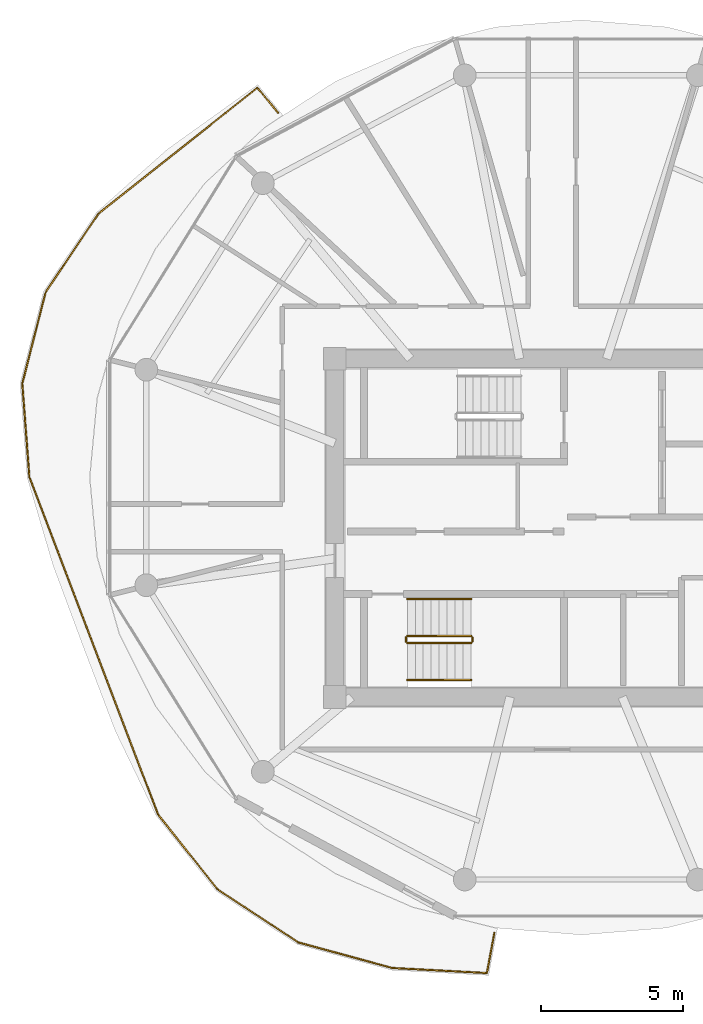
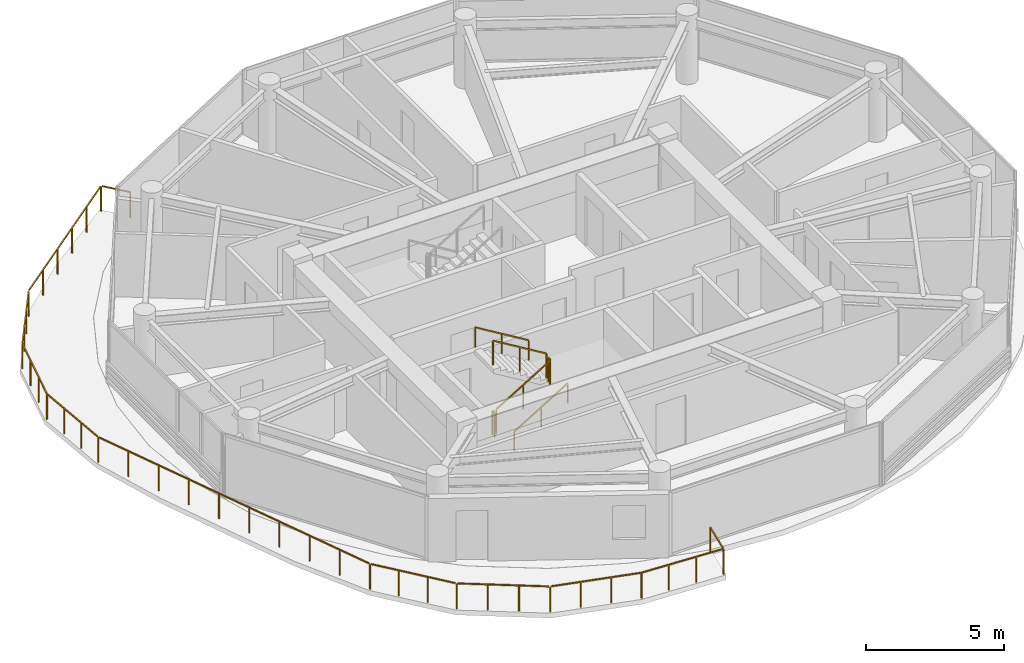
# One storey, part 19 of 23: 8 railings.
"""IFC4 building model written with IfcOpenShell, lengths in metres."""

from ifc_helpers import new_model, si_unit, direction, frame, origin, origin_2d, place, context, subcontext, project, spatial, rectangle, extrude, material, type_object, element, save


model = new_model("IFC4")

# Units and contexts
model_context = context("Model", 3, precision=1e-05, world=origin(), true_north=direction((0.0, 1.0)))
body_context = subcontext(model_context, "Body", "Model", "MODEL_VIEW")
ifc_project = project(units=[si_unit("LENGTHUNIT", "METRE"), si_unit("AREAUNIT", "SQUARE_METRE"), si_unit("VOLUMEUNIT", "CUBIC_METRE"), si_unit("PLANEANGLEUNIT", "RADIAN"), si_unit("MASSUNIT", "GRAM", prefix="KILO")], contexts=[model_context])

# Site, building, storey
site_placement = place(None, origin())
site = spatial("IfcSite", under=ifc_project, at=site_placement, CompositionType="ELEMENT")
building_placement = place(site_placement, origin())
building = spatial("IfcBuilding", under=site, at=building_placement, Name="Norrkilde Senior Care Towers", CompositionType="ELEMENT")
storey_placement = place(building_placement, frame((0.0, 0.0, 158.699951171875)))
storey = spatial("IfcBuildingStorey", under=building, at=storey_placement, Name="L49", CompositionType="ELEMENT", Elevation=158.699951171875)

# Railings
ifc_material_1 = material(Name="Anodised Aluminium", Category="aluminium")
railing_type_1 = type_object("IfcRailingType", Name="Balcony Swirl Ribbon Guardrail 1150", PredefinedType="GUARDRAIL", material=ifc_material_1)
railing_1_placement = place(storey_placement, frame((-33.62939453125, -15.4892578125, 0.0)))
element("IfcRailing", 1, at=railing_1_placement, inside=storey, type_object=railing_type_1, Name="L49 Perimeter Safety Guard 03", PredefinedType="GUARDRAIL", context=body_context, shape_type="SweptSolid", body=[
    extrude(rectangle(XDim=0.048095703125, YDim=0.048095703125, at=origin_2d()), frame((0.0, 0.0, 1.1259765625), z_axis=(-0.964836192676, 0.262851899941, 0.0), x_axis=(-0.262851899941, -0.964836192676, 0.0)), (0.0, 0.0, 1.0), 3.3828125),
    extrude(rectangle(XDim=0.048095703125, YDim=0.048095703125, at=origin_2d()), frame((-3.33740234375, 0.92236328125, 1.1259765625), z_axis=(-0.835948134008, 0.548808452238, 0.0), x_axis=(-0.548808452238, -0.835948134008, 0.0)), (0.0, 0.0, 1.0), 3.321044921875),
    extrude(rectangle(XDim=0.048095703125, YDim=0.048095703125, at=origin_2d()), frame((-6.173095703125, 2.79931640625, 1.1259765625), z_axis=(-0.622124779816, 0.782918104491, 0.0), x_axis=(-0.782918104491, -0.622124779816, 0.0)), (0.0, 0.0, 1.0), 3.29345703125),
    extrude(rectangle(XDim=0.048095703125, YDim=0.048095703125, at=origin_2d()), frame((-8.26220703125, 5.447998046875, 1.1259765625), z_axis=(-0.356223902005, 0.934400626948, 0.0), x_axis=(-0.934400626948, -0.356223902005, 0.0)), (0.0, 0.0, 1.0), 12.62060546875),
    extrude(rectangle(XDim=0.048095703125, YDim=0.048095703125, at=origin_2d()), frame((-12.775634765625, 17.31982421875, 1.1259765625), z_axis=(-0.075417349172, 0.99715205633, 0.0), x_axis=(-0.99715205633, -0.075417349172, 0.0)), (0.0, 0.0, 1.0), 3.217041015625),
    extrude(rectangle(XDim=0.048095703125, YDim=0.048095703125, at=origin_2d()), frame((-13.01123046875, 20.60791015625, 1.1259765625), z_axis=(0.247242141548, 0.968953726162, 0.0), x_axis=(-0.968953726162, 0.247242141548, 0.0)), (0.0, 0.0, 1.0), 3.236083984375),
    extrude(rectangle(XDim=0.048095703125, YDim=0.048095703125, at=origin_2d()), frame((-12.17822265625, 23.817138671875, 1.1259765625), z_axis=(0.558245465959, 0.829675840155, 0.0), x_axis=(-0.829675840155, 0.558245465959, 0.0)), (0.0, 0.0, 1.0), 3.250732421875),
    extrude(rectangle(XDim=0.048095703125, YDim=0.048095703125, at=origin_2d()), frame((-10.30859375, 26.573486328125, 1.1259765625), z_axis=(0.783671093201, 0.621175995737, 0.0), x_axis=(-0.621175995737, 0.783671093201, 0.0)), (0.0, 0.0, 1.0), 7.054931640625),
    extrude(rectangle(XDim=0.048095703125, YDim=0.048095703125, at=origin_2d()), frame((-4.721923828125, 30.94970703125, 1.1259765625), z_axis=(0.635834855799, -0.771825133143, 0.0), x_axis=(0.771825133143, 0.635834855799, 0.0)), (0.0, 0.0, 1.0), 1.09912109375),
    extrude(rectangle(XDim=0.0419921875, YDim=0.0419921875, at=origin_2d()), origin(), (0.0, 0.0, 1.0), 1.099853515625),
    extrude(rectangle(XDim=0.0419921875, YDim=0.0419921875, at=origin_2d()), frame((-1.10107421875, 0.300048828125, 0.0)), (0.0, 0.0, 1.0), 1.099853515625),
    extrude(rectangle(XDim=0.0419921875, YDim=0.0419921875, at=origin_2d()), frame((-2.2021484375, 0.599853515625, 0.0)), (0.0, 0.0, 1.0), 1.099853515625),
    extrude(rectangle(XDim=0.0419921875, YDim=0.0419921875, at=origin_2d()), frame((-3.30322265625, 0.89990234375, 0.0)), (0.0, 0.0, 1.0), 1.099853515625),
    extrude(rectangle(XDim=0.0419921875, YDim=0.0419921875, at=origin_2d()), frame((-4.25146484375, 1.5224609375, 0.0)), (0.0, 0.0, 1.0), 1.099853515625),
    extrude(rectangle(XDim=0.0419921875, YDim=0.0419921875, at=origin_2d()), frame((-5.199462890625, 2.144775390625, 0.0)), (0.0, 0.0, 1.0), 1.099853515625),
    extrude(rectangle(XDim=0.0419921875, YDim=0.0419921875, at=origin_2d()), frame((-6.147705078125, 2.767333984375, 0.0)), (0.0, 0.0, 1.0), 1.099853515625),
    extrude(rectangle(XDim=0.0419921875, YDim=0.0419921875, at=origin_2d()), frame((-6.84765625, 3.648193359375, 0.0)), (0.0, 0.0, 1.0), 1.099853515625),
    extrude(rectangle(XDim=0.0419921875, YDim=0.0419921875, at=origin_2d()), frame((-7.547607421875, 4.529052734375, 0.0)), (0.0, 0.0, 1.0), 1.099853515625),
    extrude(rectangle(XDim=0.0419921875, YDim=0.0419921875, at=origin_2d()), frame((-8.24755859375, 5.409912109375, 0.0)), (0.0, 0.0, 1.0), 1.099853515625),
    extrude(rectangle(XDim=0.0419921875, YDim=0.0419921875, at=origin_2d()), frame((-8.750244140625, 6.728759765625, 0.0)), (0.0, 0.0, 1.0), 1.099853515625),
    extrude(rectangle(XDim=0.0419921875, YDim=0.0419921875, at=origin_2d()), frame((-9.253173828125, 8.047607421875, 0.0)), (0.0, 0.0, 1.0), 1.099853515625),
    extrude(rectangle(XDim=0.0419921875, YDim=0.0419921875, at=origin_2d()), frame((-9.755859375, 9.3662109375, 0.0)), (0.0, 0.0, 1.0), 1.099853515625),
    extrude(rectangle(XDim=0.0419921875, YDim=0.0419921875, at=origin_2d()), frame((-10.258544921875, 10.68505859375, 0.0)), (0.0, 0.0, 1.0), 1.099853515625),
    extrude(rectangle(XDim=0.0419921875, YDim=0.0419921875, at=origin_2d()), frame((-10.761474609375, 12.00390625, 0.0)), (0.0, 0.0, 1.0), 1.099853515625),
    extrude(rectangle(XDim=0.0419921875, YDim=0.0419921875, at=origin_2d()), frame((-11.26416015625, 13.32275390625, 0.0)), (0.0, 0.0, 1.0), 1.099853515625),
    extrude(rectangle(XDim=0.0419921875, YDim=0.0419921875, at=origin_2d()), frame((-11.766845703125, 14.641357421875, 0.0)), (0.0, 0.0, 1.0), 1.099853515625),
    extrude(rectangle(XDim=0.0419921875, YDim=0.0419921875, at=origin_2d()), frame((-12.269775390625, 15.960205078125, 0.0)), (0.0, 0.0, 1.0), 1.099853515625),
    extrude(rectangle(XDim=0.0419921875, YDim=0.0419921875, at=origin_2d()), frame((-12.7724609375, 17.279052734375, 0.0)), (0.0, 0.0, 1.0), 1.099853515625),
    extrude(rectangle(XDim=0.0419921875, YDim=0.0419921875, at=origin_2d()), frame((-12.85546875, 18.37548828125, 0.0)), (0.0, 0.0, 1.0), 1.099853515625),
    extrude(rectangle(XDim=0.0419921875, YDim=0.0419921875, at=origin_2d()), frame((-12.938232421875, 19.471923828125, 0.0)), (0.0, 0.0, 1.0), 1.099853515625),
    extrude(rectangle(XDim=0.0419921875, YDim=0.0419921875, at=origin_2d()), frame((-13.021240234375, 20.568359375, 0.0)), (0.0, 0.0, 1.0), 1.099853515625),
    extrude(rectangle(XDim=0.0419921875, YDim=0.0419921875, at=origin_2d()), frame((-12.747802734375, 21.639892578125, 0.0)), (0.0, 0.0, 1.0), 1.099853515625),
    extrude(rectangle(XDim=0.0419921875, YDim=0.0419921875, at=origin_2d()), frame((-12.474365234375, 22.711669921875, 0.0)), (0.0, 0.0, 1.0), 1.099853515625),
    extrude(rectangle(XDim=0.0419921875, YDim=0.0419921875, at=origin_2d()), frame((-12.200927734375, 23.783203125, 0.0)), (0.0, 0.0, 1.0), 1.099853515625),
    extrude(rectangle(XDim=0.0419921875, YDim=0.0419921875, at=origin_2d()), frame((-11.580810546875, 24.704833984375, 0.0)), (0.0, 0.0, 1.0), 1.099853515625),
    extrude(rectangle(XDim=0.0419921875, YDim=0.0419921875, at=origin_2d()), frame((-10.960693359375, 25.62646484375, 0.0)), (0.0, 0.0, 1.0), 1.099853515625),
    extrude(rectangle(XDim=0.0419921875, YDim=0.0419921875, at=origin_2d()), frame((-10.340576171875, 26.548095703125, 0.0)), (0.0, 0.0, 1.0), 1.099853515625),
    extrude(rectangle(XDim=0.0419921875, YDim=0.0419921875, at=origin_2d()), frame((-9.221923828125, 27.434814453125, 0.0)), (0.0, 0.0, 1.0), 1.099853515625),
    extrude(rectangle(XDim=0.0419921875, YDim=0.0419921875, at=origin_2d()), frame((-8.103515625, 28.3212890625, 0.0)), (0.0, 0.0, 1.0), 1.099853515625),
    extrude(rectangle(XDim=0.0419921875, YDim=0.0419921875, at=origin_2d()), frame((-6.98486328125, 29.2080078125, 0.0)), (0.0, 0.0, 1.0), 1.099853515625),
    extrude(rectangle(XDim=0.0419921875, YDim=0.0419921875, at=origin_2d()), frame((-5.866455078125, 30.094482421875, 0.0)), (0.0, 0.0, 1.0), 1.099853515625),
    extrude(rectangle(XDim=0.0419921875, YDim=0.0419921875, at=origin_2d()), frame((-4.747802734375, 30.981201171875, 0.0)), (0.0, 0.0, 1.0), 1.099853515625),
    extrude(rectangle(XDim=0.0419921875, YDim=0.0419921875, at=origin_2d()), frame((-4.02294921875, 30.101318359375, 0.0)), (0.0, 0.0, 1.0), 1.099853515625),
])
railing_2_placement = place(storey_placement, frame((-30.035888671875, -14.25146484375, 0.0)))
element("IfcRailing", 2, at=railing_2_placement, inside=storey, type_object=railing_type_1, Name="L49 Perimeter Safety Guard 04", PredefinedType="GUARDRAIL", context=body_context, shape_type="SweptSolid", body=[
    extrude(rectangle(XDim=0.048095703125, YDim=0.048095703125, at=origin_2d()), frame((0.0, 0.0, 1.1259765625), z_axis=(-0.182660114047, -0.983176119897, 0.0), x_axis=(0.983176119897, -0.182660114047, 0.0)), (0.0, 0.0, 1.0), 1.398681640625),
    extrude(rectangle(XDim=0.048095703125, YDim=0.048095703125, at=origin_2d()), frame((-0.3037109375, -1.4130859375, 1.1259765625), z_axis=(-0.99858303572, 0.053215794383, 0.0), x_axis=(-0.053215794383, -0.99858303572, 0.0)), (0.0, 0.0, 1.0), 3.29443359375),
    extrude(rectangle(XDim=0.0419921875, YDim=0.0419921875, at=origin_2d()), origin(), (0.0, 0.0, 1.0), 1.099853515625),
    extrude(rectangle(XDim=0.0419921875, YDim=0.0419921875, at=origin_2d()), frame((-0.262939453125, -1.415283203125, 0.0)), (0.0, 0.0, 1.0), 1.099853515625),
    extrude(rectangle(XDim=0.0419921875, YDim=0.0419921875, at=origin_2d()), frame((-1.373046875, -1.356201171875, 0.0)), (0.0, 0.0, 1.0), 1.099853515625),
    extrude(rectangle(XDim=0.0419921875, YDim=0.0419921875, at=origin_2d()), frame((-2.4833984375, -1.296875, 0.0)), (0.0, 0.0, 1.0), 1.099853515625),
    extrude(rectangle(XDim=0.0419921875, YDim=0.0419921875, at=origin_2d()), frame((-3.593505859375, -1.23779296875, 0.0)), (0.0, 0.0, 1.0), 1.099853515625),
])
ifc_material_2 = material(Name="Stainless Steel", Category="steel")
railing_type_2 = type_object("IfcRailingType", Name="Stair and Terrace Guardrail 1100", PredefinedType="GUARDRAIL", material=ifc_material_2)
railing_3_placement = place(storey_placement, frame((-33.10009765625, -4.050048828125, 0.16943359375)))
element("IfcRailing", 3, at=railing_3_placement, inside=storey, type_object=railing_type_2, Name="L49 ST-W2 stair guard 1", PredefinedType="GUARDRAIL", context=body_context, shape_type="SweptSolid", body=[
    extrude(rectangle(XDim=0.048095703125, YDim=0.048095703125, at=origin_2d()), frame((0.0, 0.0, 1.076171875), z_axis=(0.855512035549, 0.0, 0.517782924622), x_axis=(0.0, 1.0, 0.0)), (0.0, 0.0, 1.0), 2.618408203125),
    extrude(rectangle(XDim=0.0419921875, YDim=0.0419921875, at=origin_2d()), origin(), (0.0, 0.0, 1.0), 1.050048828125),
    extrude(rectangle(XDim=0.0419921875, YDim=0.0419921875, at=origin_2d()), frame((1.1201171875, 0.0, 0.677734375)), (0.0, 0.0, 1.0), 1.050048828125),
    extrude(rectangle(XDim=0.0419921875, YDim=0.0419921875, at=origin_2d()), frame((2.239990234375, 0.0, 1.355712890625)), (0.0, 0.0, 1.0), 1.050048828125),
])
railing_4_placement = place(storey_placement, frame((-30.81005859375, -4.0, 1.525146484375)))
element("IfcRailing", 4, at=railing_4_placement, inside=storey, type_object=railing_type_2, Name="L49 ST-W2 stair guard 2", PredefinedType="GUARDRAIL", context=body_context, shape_type="SweptSolid", body=[
    extrude(rectangle(XDim=0.048095703125, YDim=0.048095703125, at=origin_2d()), frame((0.0, 0.0, 1.076171875), z_axis=(0.0, 1.0, 0.0), x_axis=(-1.0, 0.0, 0.0)), (0.0, 0.0, 1.0), 0.14990234375),
    extrude(rectangle(XDim=0.0419921875, YDim=0.0419921875, at=origin_2d()), origin(), (0.0, 0.0, 1.0), 1.050048828125),
    extrude(rectangle(XDim=0.0419921875, YDim=0.0419921875, at=origin_2d()), frame((0.0, 0.14990234375, 0.0)), (0.0, 0.0, 1.0), 1.050048828125),
])
railing_5_placement = place(storey_placement, frame((-30.860107421875, -3.800048828125, 1.694580078125)))
element("IfcRailing", 5, at=railing_5_placement, inside=storey, type_object=railing_type_2, Name="L49 ST-W2 stair guard 3", PredefinedType="GUARDRAIL", context=body_context, shape_type="SweptSolid", body=[
    extrude(rectangle(XDim=0.048095703125, YDim=0.048095703125, at=origin_2d()), frame((0.0, 0.0, 1.076171875), z_axis=(-0.855553338991, 0.0, 0.51771467445), x_axis=(0.0, -1.0, 0.0)), (0.0, 0.0, 1.0), 2.6181640625),
    extrude(rectangle(XDim=0.0419921875, YDim=0.0419921875, at=origin_2d()), origin(), (0.0, 0.0, 1.0), 1.050048828125),
    extrude(rectangle(XDim=0.0419921875, YDim=0.0419921875, at=origin_2d()), frame((-1.1201171875, 0.0, 0.677734375)), (0.0, 0.0, 1.0), 1.050048828125),
    extrude(rectangle(XDim=0.0419921875, YDim=0.0419921875, at=origin_2d()), frame((-2.239990234375, 0.0, 1.35546875)), (0.0, 0.0, 1.0), 1.050048828125),
])
railing_6_placement = place(storey_placement, frame((-33.14990234375, -4.0, 0.0)))
element("IfcRailing", 6, at=railing_6_placement, inside=storey, type_object=railing_type_2, Name="L49 ST-W2 stair guard 4", PredefinedType="GUARDRAIL", context=body_context, shape_type="SweptSolid", body=[
    extrude(rectangle(XDim=0.048095703125, YDim=0.048095703125, at=origin_2d()), frame((0.0, 0.0, 1.076171875), z_axis=(0.0, 1.0, 0.0), x_axis=(-1.0, 0.0, 0.0)), (0.0, 0.0, 1.0), 0.14990234375),
    extrude(rectangle(XDim=0.0419921875, YDim=0.0419921875, at=origin_2d()), origin(), (0.0, 0.0, 1.0), 1.050048828125),
    extrude(rectangle(XDim=0.0419921875, YDim=0.0419921875, at=origin_2d()), frame((0.0, 0.14990234375, 0.0)), (0.0, 0.0, 1.0), 1.050048828125),
])
ifc_material_3 = material(Name="Nordic Ash Timber", Category="wood")
railing_type_3 = type_object("IfcRailingType", Name="Wall and Stair Handrail 900", PredefinedType="HANDRAIL", material=ifc_material_3)
railing_7_placement = place(storey_placement, frame((-33.10009765625, -5.35009765625, 0.16943359375)))
element("IfcRailing", 7, at=railing_7_placement, inside=storey, type_object=railing_type_3, Name="L49 ST-W2 stair handrail 1", PredefinedType="HANDRAIL", context=body_context, shape_type="SweptSolid", body=[
    extrude(rectangle(XDim=0.048095703125, YDim=0.048095703125, at=origin_2d()), frame((0.0, 0.0, 0.8759765625), z_axis=(0.855512035549, 0.0, 0.517782924622), x_axis=(0.0, 1.0, 0.0)), (0.0, 0.0, 1.0), 2.618408203125),
    extrude(rectangle(XDim=0.0419921875, YDim=0.0419921875, at=origin_2d()), origin(), (0.0, 0.0, 1.0), 0.849853515625),
    extrude(rectangle(XDim=0.0419921875, YDim=0.0419921875, at=origin_2d()), frame((1.1201171875, 0.0, 0.677734375)), (0.0, 0.0, 1.0), 0.849853515625),
    extrude(rectangle(XDim=0.0419921875, YDim=0.0419921875, at=origin_2d()), frame((2.239990234375, 0.0, 1.355712890625)), (0.0, 0.0, 1.0), 0.849853515625),
])
railing_8_placement = place(storey_placement, frame((-30.860107421875, -2.5, 1.694580078125)))
element("IfcRailing", 8, at=railing_8_placement, inside=storey, type_object=railing_type_3, Name="L49 ST-W2 stair handrail 2", PredefinedType="HANDRAIL", context=body_context, shape_type="SweptSolid", body=[
    extrude(rectangle(XDim=0.048095703125, YDim=0.048095703125, at=origin_2d()), frame((0.0, 0.0, 0.8759765625), z_axis=(-0.855553338991, 0.0, 0.51771467445), x_axis=(0.0, -1.0, 0.0)), (0.0, 0.0, 1.0), 2.6181640625),
    extrude(rectangle(XDim=0.0419921875, YDim=0.0419921875, at=origin_2d()), origin(), (0.0, 0.0, 1.0), 0.849853515625),
    extrude(rectangle(XDim=0.0419921875, YDim=0.0419921875, at=origin_2d()), frame((-1.1201171875, 0.0, 0.677734375)), (0.0, 0.0, 1.0), 0.849853515625),
    extrude(rectangle(XDim=0.0419921875, YDim=0.0419921875, at=origin_2d()), frame((-2.239990234375, 0.0, 1.35546875)), (0.0, 0.0, 1.0), 0.849853515625),
])

save(model, "model.ifc")
